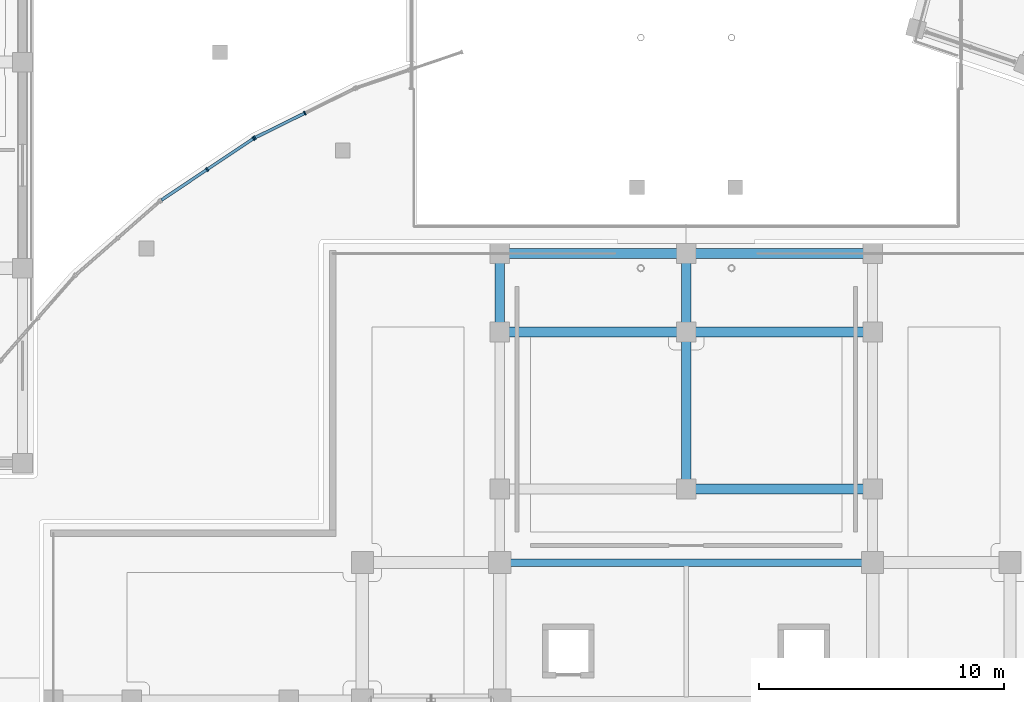
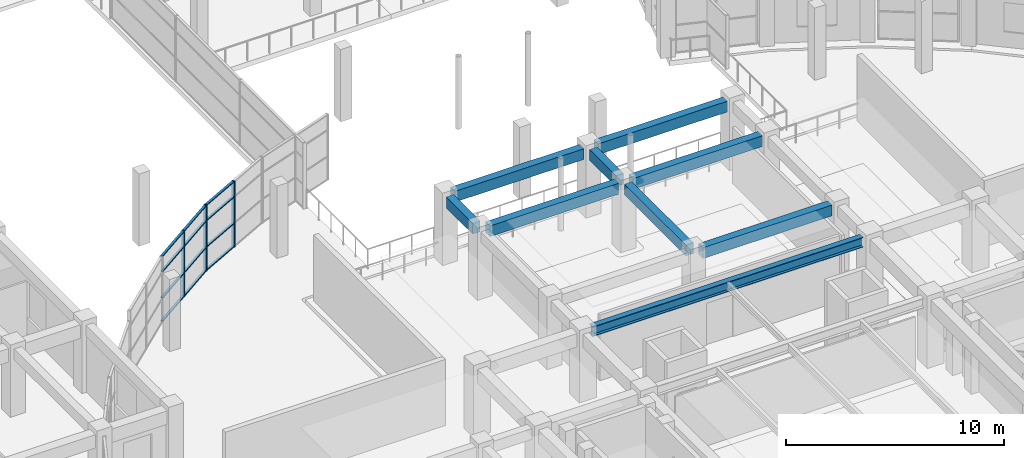
# One storey, part 31 of 87: 16 members, 9 beams, 2 elements without a shape of their own.
"""IFC4 building model written with IfcOpenShell, lengths in metres."""

from ifc_helpers import new_model, si_unit, direction, frame, origin, origin_2d, place, context, subcontext, project, spatial, rectangle, i_section, extrude, material, material_profile, profile_set, type_object, element, aggregate, save


model = new_model("IFC4")

# Units and contexts
model_context = context("Model", 3, precision=1e-05, world=origin(), true_north=direction((0.0, 1.0)))
body_context = subcontext(model_context, "Body", "Model", "MODEL_VIEW")
ifc_project = project(units=[si_unit("LENGTHUNIT", "METRE"), si_unit("AREAUNIT", "SQUARE_METRE"), si_unit("VOLUMEUNIT", "CUBIC_METRE"), si_unit("PLANEANGLEUNIT", "RADIAN"), si_unit("MASSUNIT", "GRAM", prefix="KILO")], contexts=[model_context])

# Site, building, storey
site_placement = place(None, origin())
site = spatial("IfcSite", under=ifc_project, at=site_placement, CompositionType="ELEMENT")
building_placement = place(site_placement, origin())
building = spatial("IfcBuilding", under=site, at=building_placement, Name="Saryqyr Civic Hall", CompositionType="ELEMENT")
storey_placement = place(building_placement, frame((0.0, 0.0, 5.10009765625)))
storey = spatial("IfcBuildingStorey", under=building, at=storey_placement, Name="L01", CompositionType="ELEMENT", Elevation=5.10009765625)

# Curtain wall, members
ifc_material_1 = material(Name="Anodised aluminium and triple low-E glass", Category="aluminium")
curtain_wall_type = type_object("IfcCurtainWallType", Name="ENV-CW-STD-74", PredefinedType="NOTDEFINED", material=ifc_material_1)
curtain_wall_1_placement = place(storey_placement, origin())
curtain_wall_1 = element("IfcCurtainWall", 1, at=curtain_wall_1_placement, inside=storey, type_object=curtain_wall_type, Name="Curtain wall V2-PERIM-CW-L01-15", PredefinedType="NOTDEFINED")
ifc_material_2 = material(Name="Anodised aluminium", Category="aluminium")
ifc_material_profile_1 = material_profile(ifc_material_2, rectangle(XDim=0.06005859375, YDim=0.159912109375, at=origin_2d()), Name="ALU MULLION 60x160")
ifc_profile_set_1 = profile_set([ifc_material_profile_1], Name="Anodised aluminium")
member_type_1 = type_object("IfcMemberType", Name="ENV-CW-MUL-180", PredefinedType="MULLION", material=ifc_profile_set_1)
member_1_placement = place(storey_placement, frame((39.4169921875, 114.5146484375, 0.0), z_axis=(0.0, 0.0, 1.0), x_axis=(0.896875116746, 0.442283873729, 0.0)))
member_1 = element("IfcMember", 2, at=member_1_placement, type_object=member_type_1, Name="CW-74 mullion 1", PredefinedType="MULLION", context=body_context, shape_type="SweptSolid", body=[
    extrude(rectangle(XDim=0.06005859375, YDim=0.159912109375, at=origin_2d()), origin(), (0.0, 0.0, 1.0), 3.699951171875),
])
member_2_placement = place(storey_placement, frame((41.4560546875, 115.520263671875, 0.0), z_axis=(0.0, 0.0, 1.0), x_axis=(0.896875116746, 0.442283873729, 0.0)))
member_2 = element("IfcMember", 3, at=member_2_placement, type_object=member_type_1, Name="CW-74 mullion 2", PredefinedType="MULLION", context=body_context, shape_type="SweptSolid", body=[
    extrude(rectangle(XDim=0.06005859375, YDim=0.159912109375, at=origin_2d()), origin(), (0.0, 0.0, 1.0), 3.699951171875),
])

curtain_wall_2_placement = place(storey_placement, origin())
curtain_wall_2 = element("IfcCurtainWall", 4, at=curtain_wall_2_placement, inside=storey, type_object=curtain_wall_type, Name="Curtain wall V2-PERIM-CW-L01-16", PredefinedType="NOTDEFINED")
member_3_placement = place(storey_placement, frame((37.474609375, 113.2216796875, 0.0), z_axis=(0.0, 0.0, 1.0), x_axis=(0.831472128078, 0.555566467877, 0.0)))
member_3 = element("IfcMember", 5, at=member_3_placement, type_object=member_type_1, Name="CW-74 mullion 2", PredefinedType="MULLION", context=body_context, shape_type="SweptSolid", body=[
    extrude(rectangle(XDim=0.06005859375, YDim=0.159912109375, at=origin_2d()), origin(), (0.0, 0.0, 1.0), 3.699951171875),
])
member_4_placement = place(storey_placement, frame((39.364990234375, 114.484619140625, 0.0), z_axis=(0.0, 0.0, 1.0), x_axis=(0.831472128078, 0.555566467877, 0.0)))
member_4 = element("IfcMember", 6, at=member_4_placement, type_object=member_type_1, Name="CW-74 mullion 3", PredefinedType="MULLION", context=body_context, shape_type="SweptSolid", body=[
    extrude(rectangle(XDim=0.06005859375, YDim=0.159912109375, at=origin_2d()), origin(), (0.0, 0.0, 1.0), 3.699951171875),
])

# Member
ifc_material_profile_2 = material_profile(ifc_material_2, rectangle(XDim=0.1201171875, YDim=0.06005859375, at=origin_2d()), Name="ALU TRANSOM 120x60")
ifc_profile_set_2 = profile_set([ifc_material_profile_2], Name="Anodised aluminium")
member_type_2 = type_object("IfcMemberType", Name="ENV-CW-TRN-150", PredefinedType="USERDEFINED", material=ifc_profile_set_2)
member_5_placement = place(storey_placement, frame((39.44384765625, 114.52783203125, 0.02978515625), z_axis=(0.896862479168, 0.442309499627, 0.0), x_axis=(-0.442309499627, 0.896862479168, 0.0)))
member_5 = element("IfcMember", 7, at=member_5_placement, type_object=member_type_2, Name="CW-74 transom 1.1", ObjectType="TRANSOM", PredefinedType="USERDEFINED", context=body_context, shape_type="SweptSolid", body=[
    extrude(rectangle(XDim=0.1201171875, YDim=0.06005859375, at=origin_2d()), origin(), (0.0, 0.0, 1.0), 2.21337890625),
])

member_6_placement = place(storey_placement, frame((39.44384765625, 114.52783203125, 1.331787109375), z_axis=(0.896862479168, 0.442309499627, 0.0), x_axis=(-0.442309499627, 0.896862479168, 0.0)))
member_6 = element("IfcMember", 8, at=member_6_placement, type_object=member_type_2, Name="CW-74 transom 1.2", ObjectType="TRANSOM", PredefinedType="USERDEFINED", context=body_context, shape_type="SweptSolid", body=[
    extrude(rectangle(XDim=0.1201171875, YDim=0.06005859375, at=origin_2d()), origin(), (0.0, 0.0, 1.0), 2.21337890625),
])

member_7_placement = place(storey_placement, frame((39.44384765625, 114.52783203125, 2.81201171875), z_axis=(0.896862479168, 0.442309499627, 0.0), x_axis=(-0.442309499627, 0.896862479168, 0.0)))
member_7 = element("IfcMember", 9, at=member_7_placement, type_object=member_type_2, Name="CW-74 transom 1.3", ObjectType="TRANSOM", PredefinedType="USERDEFINED", context=body_context, shape_type="SweptSolid", body=[
    extrude(rectangle(XDim=0.1201171875, YDim=0.06005859375, at=origin_2d()), origin(), (0.0, 0.0, 1.0), 2.21337890625),
])

member_8_placement = place(storey_placement, frame((39.44384765625, 114.52783203125, 3.669921875), z_axis=(0.896862479168, 0.442309499627, 0.0), x_axis=(-0.442309499627, 0.896862479168, 0.0)))
member_8 = element("IfcMember", 10, at=member_8_placement, type_object=member_type_2, Name="CW-74 transom 1.4", ObjectType="TRANSOM", PredefinedType="USERDEFINED", context=body_context, shape_type="SweptSolid", body=[
    extrude(rectangle(XDim=0.1201171875, YDim=0.06005859375, at=origin_2d()), origin(), (0.0, 0.0, 1.0), 2.21337890625),
])

aggregate(curtain_wall_1, [member_1, member_2, member_5, member_6, member_7, member_8])

member_9_placement = place(storey_placement, frame((35.609375, 111.975341796875, 0.02978515625), z_axis=(0.831455883958, 0.555590778389, 0.0), x_axis=(-0.555590778389, 0.831455883958, 0.0)))
member_9 = element("IfcMember", 11, at=member_9_placement, type_object=member_type_2, Name="CW-74 transom 1.1", ObjectType="TRANSOM", PredefinedType="USERDEFINED", context=body_context, shape_type="SweptSolid", body=[
    extrude(rectangle(XDim=0.1201171875, YDim=0.06005859375, at=origin_2d()), origin(), (0.0, 0.0, 1.0), 2.21337890625),
])

member_10_placement = place(storey_placement, frame((35.609375, 111.975341796875, 1.331787109375), z_axis=(0.831455883958, 0.555590778389, 0.0), x_axis=(-0.555590778389, 0.831455883958, 0.0)))
member_10 = element("IfcMember", 12, at=member_10_placement, type_object=member_type_2, Name="CW-74 transom 1.2", ObjectType="TRANSOM", PredefinedType="USERDEFINED", context=body_context, shape_type="SweptSolid", body=[
    extrude(rectangle(XDim=0.1201171875, YDim=0.06005859375, at=origin_2d()), origin(), (0.0, 0.0, 1.0), 2.21337890625),
])

member_11_placement = place(storey_placement, frame((35.609375, 111.975341796875, 2.81201171875), z_axis=(0.831455883958, 0.555590778389, 0.0), x_axis=(-0.555590778389, 0.831455883958, 0.0)))
member_11 = element("IfcMember", 13, at=member_11_placement, type_object=member_type_2, Name="CW-74 transom 1.3", ObjectType="TRANSOM", PredefinedType="USERDEFINED", context=body_context, shape_type="SweptSolid", body=[
    extrude(rectangle(XDim=0.1201171875, YDim=0.06005859375, at=origin_2d()), origin(), (0.0, 0.0, 1.0), 2.21337890625),
])

member_12_placement = place(storey_placement, frame((35.609375, 111.975341796875, 3.669921875), z_axis=(0.831455883958, 0.555590778389, 0.0), x_axis=(-0.555590778389, 0.831455883958, 0.0)))
member_12 = element("IfcMember", 14, at=member_12_placement, type_object=member_type_2, Name="CW-74 transom 1.4", ObjectType="TRANSOM", PredefinedType="USERDEFINED", context=body_context, shape_type="SweptSolid", body=[
    extrude(rectangle(XDim=0.1201171875, YDim=0.06005859375, at=origin_2d()), origin(), (0.0, 0.0, 1.0), 2.21337890625),
])

member_13_placement = place(storey_placement, frame((37.499755859375, 113.23828125, 0.02978515625), z_axis=(0.831455883958, 0.555590778389, 0.0), x_axis=(-0.555590778389, 0.831455883958, 0.0)))
member_13 = element("IfcMember", 15, at=member_13_placement, type_object=member_type_2, Name="CW-74 transom 2.1", ObjectType="TRANSOM", PredefinedType="USERDEFINED", context=body_context, shape_type="SweptSolid", body=[
    extrude(rectangle(XDim=0.1201171875, YDim=0.06005859375, at=origin_2d()), origin(), (0.0, 0.0, 1.0), 2.21337890625),
])

member_14_placement = place(storey_placement, frame((37.499755859375, 113.23828125, 1.331787109375), z_axis=(0.831455883958, 0.555590778389, 0.0), x_axis=(-0.555590778389, 0.831455883958, 0.0)))
member_14 = element("IfcMember", 16, at=member_14_placement, type_object=member_type_2, Name="CW-74 transom 2.2", ObjectType="TRANSOM", PredefinedType="USERDEFINED", context=body_context, shape_type="SweptSolid", body=[
    extrude(rectangle(XDim=0.1201171875, YDim=0.06005859375, at=origin_2d()), origin(), (0.0, 0.0, 1.0), 2.21337890625),
])

member_15_placement = place(storey_placement, frame((37.499755859375, 113.23828125, 2.81201171875), z_axis=(0.831455883958, 0.555590778389, 0.0), x_axis=(-0.555590778389, 0.831455883958, 0.0)))
member_15 = element("IfcMember", 17, at=member_15_placement, type_object=member_type_2, Name="CW-74 transom 2.3", ObjectType="TRANSOM", PredefinedType="USERDEFINED", context=body_context, shape_type="SweptSolid", body=[
    extrude(rectangle(XDim=0.1201171875, YDim=0.06005859375, at=origin_2d()), origin(), (0.0, 0.0, 1.0), 2.21337890625),
])

member_16_placement = place(storey_placement, frame((37.499755859375, 113.23828125, 3.669921875), z_axis=(0.831455883958, 0.555590778389, 0.0), x_axis=(-0.555590778389, 0.831455883958, 0.0)))
member_16 = element("IfcMember", 18, at=member_16_placement, type_object=member_type_2, Name="CW-74 transom 2.4", ObjectType="TRANSOM", PredefinedType="USERDEFINED", context=body_context, shape_type="SweptSolid", body=[
    extrude(rectangle(XDim=0.1201171875, YDim=0.06005859375, at=origin_2d()), origin(), (0.0, 0.0, 1.0), 2.21337890625),
])

aggregate(curtain_wall_2, [member_3, member_4, member_9, member_10, member_11, member_12, member_13, member_14, member_15, member_16])

# Beams
ifc_material_3 = material(Name="Steel S355", Category="steel")
ifc_material_profile_3 = material_profile(ifc_material_3, i_section(OverallWidth=0.300048828125, OverallDepth=0.550048828125, WebThickness=0.014892578125, FlangeThickness=0.029052734375, at=origin_2d()), Name="HEB 550")
ifc_profile_set_3 = profile_set([ifc_material_profile_3], Name="Steel S355")
beam_type_1 = type_object("IfcBeamType", Name="STR-BM-HEB550", PredefinedType="BEAM", material=ifc_profile_set_3)
beam_1_placement = place(storey_placement, frame((49.824951171875, 97.199951171875, 3.494873046875), z_axis=(1.0, 0.0, 0.0), x_axis=(0.0, 1.0, 0.0)))
element("IfcBeam", 19, at=beam_1_placement, inside=storey, type_object=beam_type_1, Name="Beam V1-GBM-EW4-L01", PredefinedType="BEAM", context=body_context, shape_type="SweptSolid", body=[
    extrude(i_section(OverallWidth=0.300048828125, OverallDepth=0.550048828125, WebThickness=0.014892578125, FlangeThickness=0.029052734375, at=origin_2d()), origin(), (0.0, 0.0, 1.0), 14.35009765625),
])
ifc_material_4 = material(Name="Concrete C35/45", Category="concrete")
ifc_material_profile_4 = material_profile(ifc_material_4, rectangle(XDim=0.39990234375, YDim=0.60009765625, at=origin_2d()), Name="RC 400x600")
ifc_profile_set_4 = profile_set([ifc_material_profile_4], Name="Concrete C35/45")
beam_type_2 = type_object("IfcBeamType", Name="STR-BM-RC400x600", PredefinedType="BEAM", material=ifc_profile_set_4)
for number, where, z_axis, x_axis, name in (
    (20, (49.39990234375, 106.97509765625, 3.469970703125), (0.0, 1.0, 0.0), (-1.0, 0.0, 0.0), "Beam V1-TBM-10-L01"),
    (21, (57.0, 106.97509765625, 3.469970703125), (0.0, 1.0, 0.0), (-1.0, 0.0, 0.0), "Beam V1-TBM-11-L01"),
):
    element("IfcBeam", number, at=place(storey_placement, frame(where, z_axis=z_axis, x_axis=x_axis)), inside=storey, type_object=beam_type_2, Name=name, PredefinedType="BEAM", context=body_context, shape_type="SweptSolid", body=[
        extrude(rectangle(XDim=0.39990234375, YDim=0.60009765625, at=origin_2d()), origin(), (0.0, 0.0, 1.0), 2.449951171875),
    ])
for number, where, z_axis, x_axis, name in (
    (22, (49.77490234375, 109.800048828125, 3.469970703125), (1.0, 0.0, 0.0), (0.0, 1.0, 0.0), "Beam V1-TBM-19-L01"),
    (23, (57.375, 109.800048828125, 3.469970703125), (1.0, 0.0, 0.0), (0.0, 1.0, 0.0), "Beam V1-TBM-20-L01"),
):
    element("IfcBeam", number, at=place(storey_placement, frame(where, z_axis=z_axis, x_axis=x_axis)), inside=storey, type_object=beam_type_2, Name=name, PredefinedType="BEAM", context=body_context, shape_type="SweptSolid", body=[
        extrude(rectangle(XDim=0.39990234375, YDim=0.60009765625, at=origin_2d()), origin(), (0.0, 0.0, 1.0), 6.85009765625),
    ])
beam_2_placement = place(storey_placement, frame((57.0, 100.574951171875, 3.469970703125), z_axis=(0.0, 1.0, 0.0), x_axis=(-1.0, 0.0, 0.0)))
element("IfcBeam", 24, at=beam_2_placement, inside=storey, type_object=beam_type_2, Name="Beam V1-TBM-31-L01", PredefinedType="BEAM", context=body_context, shape_type="SweptSolid", body=[
    extrude(rectangle(XDim=0.39990234375, YDim=0.60009765625, at=origin_2d()), origin(), (0.0, 0.0, 1.0), 5.650146484375),
])
for number, where, z_axis, x_axis, name in (
    (25, (49.77490234375, 106.60009765625, 3.469970703125), (1.0, 0.0, 0.0), (0.0, 1.0, 0.0), "Beam V1-TBM-39-L01"),
    (26, (57.375, 106.60009765625, 3.469970703125), (1.0, 0.0, 0.0), (0.0, 1.0, 0.0), "Beam V1-TBM-40-L01"),
    (27, (57.375, 100.199951171875, 3.469970703125), (1.0, 0.0, 0.0), (0.0, 1.0, 0.0), "Beam V1-TBM-58-L01"),
):
    element("IfcBeam", number, at=place(storey_placement, frame(where, z_axis=z_axis, x_axis=x_axis)), inside=storey, type_object=beam_type_2, Name=name, PredefinedType="BEAM", context=body_context, shape_type="SweptSolid", body=[
        extrude(rectangle(XDim=0.39990234375, YDim=0.60009765625, at=origin_2d()), origin(), (0.0, 0.0, 1.0), 6.85009765625),
    ])

save(model, "model.ifc")
